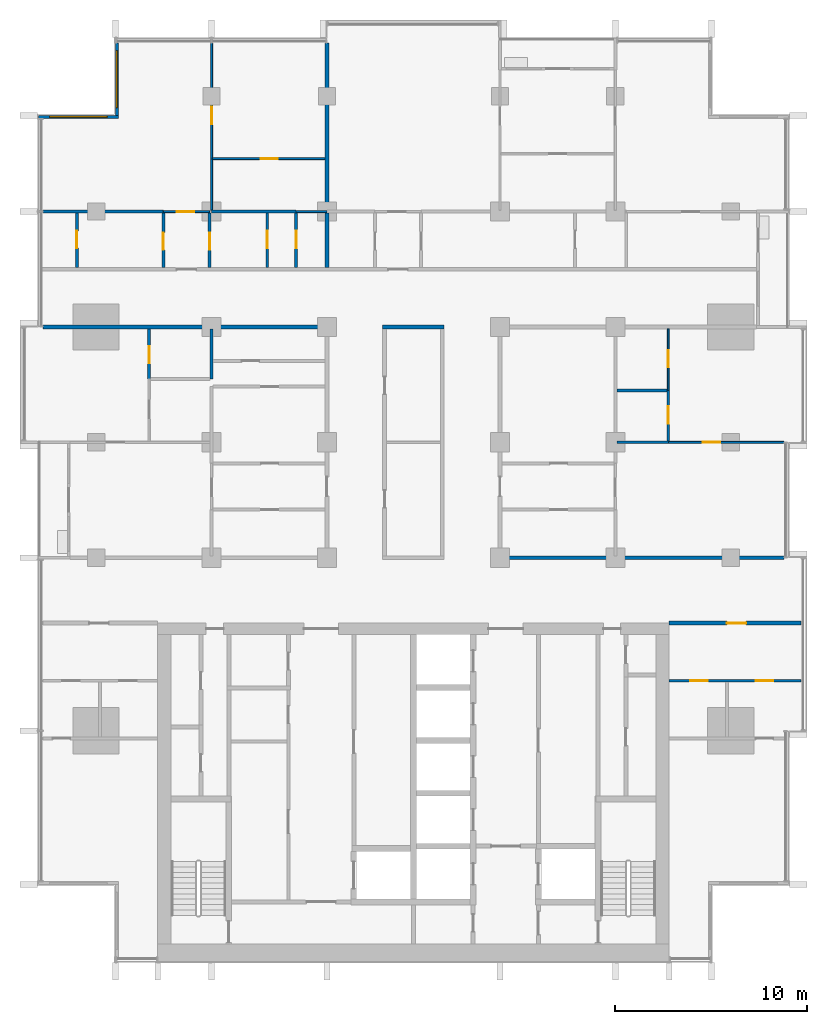
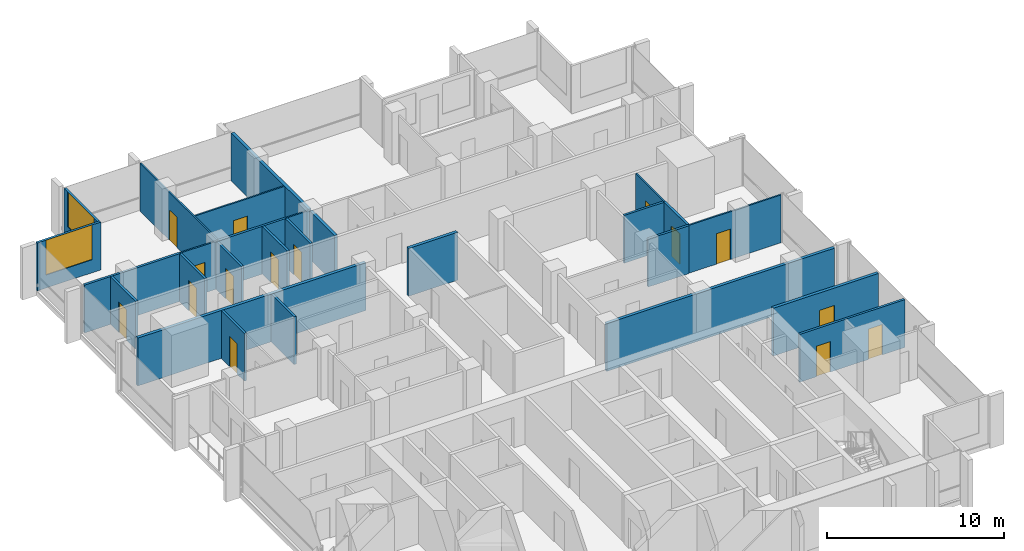
# One storey, part 10 of 17: 27 walls, 15 doors, 2 windows, 17 openings.
"""IFC4 building model written with IfcOpenShell, lengths in metres."""

import ifcopenshell
import ifcopenshell.guid

model = None  # the IFC model being written
_history = None  # IfcOwnerHistory: only IFC2X3 demands one
_inside = {}  # id of a spatial element -> (the spatial element, [elements in it])
_under = {}  # id of a project, library or spatial element -> (it, [spatial elements below it])
_declared = {}  # id of a project -> (the project, [libraries it declares])
_typed = {}  # id of a type object -> (the type object, [elements of that type])
_made_of = {}  # id of a material, layer set ... -> (it, [elements and type objects made of it])


def new_model(schema):
    """Start an empty IFC model of exactly this schema.

    Asked for "IFC4X3", IfcOpenShell would pick the latest addendum, in which some entities
    have other attributes; the version numbers below select the first issue.
    IFC2X3 requires an IfcOwnerHistory on every rooted entity: one is made here for all.
    """
    global model, _history
    if schema == "IFC4X3":
        model = ifcopenshell.file(schema_version=(4, 3, 0, 0))
    else:
        model = ifcopenshell.file(schema=schema)
    _inside.clear()
    _under.clear()
    _declared.clear()
    _typed.clear()
    _made_of.clear()
    _history = None
    if model.schema == "IFC2X3":
        org = make("IfcOrganization", Name="unknown")
        user = make(
            "IfcPersonAndOrganization",
            ThePerson=make("IfcPerson", FamilyName="unknown"),
            TheOrganization=org,
        )
        app = make(
            "IfcApplication",
            ApplicationDeveloper=org,
            Version="unknown",
            ApplicationFullName="unknown",
            ApplicationIdentifier="unknown",
        )
        _history = make(
            "IfcOwnerHistory",
            OwningUser=user,
            OwningApplication=app,
            ChangeAction="ADDED",
            CreationDate=0,
        )
    return model


def make(cls, **values):
    """One entity of the class cls with the attributes given. An attribute that is None is left unset."""
    return model.create_entity(
        cls, **{name: value for name, value in values.items() if value is not None}
    )


def rooted(cls, **values):
    """An entity with a GlobalId (a new one), such as an element, a storey or a relation."""
    return make(cls, GlobalId=ifcopenshell.guid.new(), OwnerHistory=_history, **values)


def si_unit(unit_type, name, prefix=None):
    """IfcSIUnit, for example si_unit("LENGTHUNIT", "METRE", prefix="MILLI")."""
    return make("IfcSIUnit", UnitType=unit_type, Prefix=prefix, Name=name)


def assignment(units):
    """IfcUnitAssignment: the units of a project."""
    return None if units is None else make("IfcUnitAssignment", Units=units)


def point(xyz):
    """IfcCartesianPoint."""
    return None if xyz is None else make("IfcCartesianPoint", Coordinates=xyz)


def direction(xyz):
    """IfcDirection."""
    return None if xyz is None else make("IfcDirection", DirectionRatios=xyz)


def frame(location, z_axis=None, x_axis=None):
    """IfcAxis2Placement3D, a coordinate frame: its origin and axes. An axis left out is left unset."""
    return make(
        "IfcAxis2Placement3D",
        Location=point(location),
        Axis=direction(z_axis),
        RefDirection=direction(x_axis),
    )


def frame_2d(location, x_axis=None):
    """IfcAxis2Placement2D, a coordinate frame in the plane: its origin and x axis."""
    return make(
        "IfcAxis2Placement2D", Location=point(location), RefDirection=direction(x_axis)
    )


def origin():
    """The frame at (0, 0, 0) with its axes left unset."""
    return frame((0.0, 0.0, 0.0))


def place(relative_to, where):
    """IfcLocalPlacement: puts the frame where relative to a parent placement (None: the world)."""
    return make(
        "IfcLocalPlacement", PlacementRelTo=relative_to, RelativePlacement=where
    )


def context(
    kind, dimensions, precision=None, world=None, true_north=None, identifier=None
):
    """IfcGeometricRepresentationContext, for example the 3D "Model" context."""
    return make(
        "IfcGeometricRepresentationContext",
        ContextIdentifier=identifier,
        ContextType=kind,
        CoordinateSpaceDimension=dimensions,
        Precision=precision,
        WorldCoordinateSystem=world,
        TrueNorth=true_north,
    )


def subcontext(parent, identifier, kind, view, scale=None):
    """IfcGeometricRepresentationSubContext, for example "Body" below "Model"."""
    return make(
        "IfcGeometricRepresentationSubContext",
        ContextIdentifier=identifier,
        ContextType=kind,
        ParentContext=parent,
        TargetScale=scale,
        TargetView=view,
    )


def project(units=None, contexts=None):
    """IfcProject with its units and contexts."""
    return rooted(
        "IfcProject",
        Name="project",
        RepresentationContexts=contexts,
        UnitsInContext=assignment(units),
    )


def spatial(cls, under=None, at=None, **own):
    """A site, building, storey or space (cls), placed at a placement, below another one or the project."""
    s = rooted(cls, ObjectPlacement=at, **own)
    if under is not None:
        _under.setdefault(under.id(), (under, []))[1].append(s)
    return s


def profile(cls, at=None, kind="AREA", **sizes):
    """A parametric profile (cls). Its sizes go by their IFC names, for example OverallWidth=200.0."""
    return make(cls, ProfileType=kind, Position=at, **sizes)


def rectangle(**sizes):
    """IfcRectangleProfileDef."""
    return profile("IfcRectangleProfileDef", **sizes)


def extrude(swept, where, along, depth):
    """IfcExtrudedAreaSolid: the profile swept, set in the frame where, extruded along a direction by depth."""
    return make(
        "IfcExtrudedAreaSolid",
        SweptArea=swept,
        Position=where,
        ExtrudedDirection=direction(along),
        Depth=depth,
    )


def shape(context_of_items, identifier, shape_type, items):
    """IfcShapeRepresentation: the items that make up one representation, for example the "Body"."""
    return make(
        "IfcShapeRepresentation",
        ContextOfItems=context_of_items,
        RepresentationIdentifier=identifier,
        RepresentationType=shape_type,
        Items=items,
    )


def material(Name=None, Category=None):
    """IfcMaterial."""
    return make("IfcMaterial", Name=Name, Category=Category)


def layer(
    of_material, thickness, ventilated=None, Name=None, Category=None, Priority=None
):
    """IfcMaterialLayer: one layer of a wall or slab, of a material (None: an air gap)."""
    return make(
        "IfcMaterialLayer",
        Material=of_material,
        LayerThickness=thickness,
        IsVentilated=ventilated,
        Name=Name,
        Category=Category,
        Priority=Priority,
    )


def layer_set(layers, Name=None):
    """IfcMaterialLayerSet."""
    return make("IfcMaterialLayerSet", MaterialLayers=layers, LayerSetName=Name)


def made_of(thing, what):
    """Note that an element or type object is made of a material, layer set ...; save() writes the relation."""
    if what is not None:
        _made_of.setdefault(what.id(), (what, []))[1].append(thing)
    return thing


def type_object(cls, material=None, **own):
    """A type object (cls), such as IfcWallType, which elements share."""
    return made_of(rooted(cls, **own), material)


def element(
    cls,
    number,
    at=None,
    inside=None,
    cuts=None,
    type_object=None,
    material=None,
    context=None,
    identifier="Body",
    shape_type=None,
    held_by="IfcProductDefinitionShape",
    body=None,
    shapes=None,
    **own,
):
    """One element of the class cls, such as IfcWall. Its Tag is "e" and its number.

    at: its placement. inside: the storey or other place that contains it. cuts: it is an
    opening in that element (IfcRelVoidsElement). A single representation is given by context,
    identifier, shape_type and body (its items); several are given by shapes. held_by: the class
    of the entity that holds the representations. save() writes the other relations.
    """
    e = rooted(cls, Tag="e%d" % number, ObjectPlacement=at, **own)
    if body is not None:
        shapes = [shape(context, identifier, shape_type, body)]
    if shapes is not None:
        e.Representation = make(held_by, Representations=shapes)
    if inside is not None:
        _inside.setdefault(inside.id(), (inside, []))[1].append(e)
    if cuts is not None:
        rooted(
            "IfcRelVoidsElement", RelatingBuildingElement=cuts, RelatedOpeningElement=e
        )
    if type_object is not None:
        _typed.setdefault(type_object.id(), (type_object, []))[1].append(e)
    return made_of(e, material)


def fill(opening, filler):
    """IfcRelFillsElement: the door or window that sits in an opening."""
    return rooted(
        "IfcRelFillsElement",
        RelatingOpeningElement=opening,
        RelatedBuildingElement=filler,
    )


def aggregate(whole, parts):
    """IfcRelAggregates: a whole, such as a stair, and the parts it consists of."""
    return rooted("IfcRelAggregates", RelatingObject=whole, RelatedObjects=parts)


def save(model, path):
    """Write the relations noted so far, then the file.

    IfcRelAggregates (storeys below a building ...), IfcRelContainedInSpatialStructure (elements
    in a storey), IfcRelDefinesByType, IfcRelAssociatesMaterial and IfcRelDeclares: one each for
    every whole, place, type object, material and project.
    """
    for whole, parts in _under.values():
        aggregate(whole, parts)
    for where, things in _inside.values():
        rooted(
            "IfcRelContainedInSpatialStructure",
            RelatedElements=things,
            RelatingStructure=where,
        )
    for kind, things in _typed.values():
        rooted("IfcRelDefinesByType", RelatedObjects=things, RelatingType=kind)
    for what, things in _made_of.values():
        rooted("IfcRelAssociatesMaterial", RelatedObjects=things, RelatingMaterial=what)
    for by, libraries in _declared.values():
        rooted("IfcRelDeclares", RelatingContext=by, RelatedDefinitions=libraries)
    model.write(path)


model = new_model("IFC4")

# Units and contexts
model_context = context("Model", 3, precision=1e-05, world=origin(), true_north=direction((0.0, 1.0)))
body_context = subcontext(model_context, "Body", "Model", "MODEL_VIEW")
ifc_project = project(units=[si_unit("LENGTHUNIT", "METRE"), si_unit("AREAUNIT", "SQUARE_METRE"), si_unit("VOLUMEUNIT", "CUBIC_METRE"), si_unit("PLANEANGLEUNIT", "RADIAN"), si_unit("MASSUNIT", "GRAM", prefix="KILO")], contexts=[model_context])

# Site, building, storey
site_placement = place(None, origin())
site = spatial("IfcSite", under=ifc_project, at=site_placement, CompositionType="ELEMENT")
building_placement = place(site_placement, origin())
building = spatial("IfcBuilding", under=site, at=building_placement, Name="Finial Court Residences", CompositionType="ELEMENT")
storey_placement = place(building_placement, frame((0.0, 0.0, 192.5)))
storey = spatial("IfcBuildingStorey", under=building, at=storey_placement, Name="L48", CompositionType="ELEMENT", Elevation=192.5)

# Walls
ifc_material_1 = material(Name="Gypsum board")
ifc_layer_1 = layer(ifc_material_1, 0.02490234375)
ifc_material_2 = material(Name="Acoustic mineral wool in double frame")
ifc_layer_2 = layer(ifc_material_2, 0.14990234375)
ifc_layer_3 = layer(ifc_material_1, 0.02490234375)
ifc_layer_set_1 = layer_set([ifc_layer_1, ifc_layer_2, ifc_layer_3], Name="Acoustic party wall 200, 1 hour")
wall_type_1 = type_object("IfcWallType", Name="Acoustic party wall 200, 1 hour", PredefinedType="PARTITIONING", material=ifc_layer_set_1)
wall_1_placement = place(storey_placement, frame((-4.5, 10.60009765625, 0.0), z_axis=(0.0, 0.0, 1.0), x_axis=(0.0, 1.0, 0.0)))
element("IfcWall", 1, at=wall_1_placement, inside=storey, type_object=wall_type_1, Name="Partition L48-049", PredefinedType="PARTITIONING", context=body_context, shape_type="SweptSolid", body=[
    extrude(rectangle(XDim=2.824951171875, YDim=0.199951171875, at=frame_2d((1.41259765625, 0.0))), origin(), (0.0, 0.0, 1.0), 3.300048828125),
])
wall_2_placement = place(storey_placement, frame((-4.5, 13.574951171875, 0.0), z_axis=(0.0, 0.0, 1.0), x_axis=(0.0, 1.0, 0.0)))
element("IfcWall", 2, at=wall_2_placement, inside=storey, type_object=wall_type_1, Name="Partition L48-050", PredefinedType="PARTITIONING", context=body_context, shape_type="SweptSolid", body=[
    extrude(rectangle(XDim=8.6875, YDim=0.199951171875, at=frame_2d((4.34375, 0.0))), origin(), (0.0, 0.0, 1.0), 3.300048828125),
])

# Wall, opening, door
ifc_layer_4 = layer(ifc_material_1, 0.02490234375)
ifc_layer_5 = layer(ifc_material_2, 0.14990234375)
ifc_layer_6 = layer(ifc_material_1, 0.02490234375)
ifc_layer_set_2 = layer_set([ifc_layer_4, ifc_layer_5, ifc_layer_6], Name="Corridor wall 200, 1 hour")
wall_type_2 = type_object("IfcWallType", Name="Corridor wall 200, 1 hour", PredefinedType="PARTITIONING", material=ifc_layer_set_2)
wall_3_placement = place(storey_placement, frame((13.300048828125, -7.89990234375, 0.0), z_axis=(0.0, 0.0, 1.0), x_axis=(1.0, 0.0, 0.0)))
wall_3 = element("IfcWall", 3, at=wall_3_placement, inside=storey, type_object=wall_type_2, Name="Partition L48-005", PredefinedType="PARTITIONING", context=body_context, shape_type="SweptSolid", body=[
    extrude(rectangle(XDim=6.862548828125, YDim=0.199951171875, at=frame_2d((3.43115234375, 0.0))), origin(), (0.0, 0.0, 1.0), 3.300048828125),
])
opening_1_placement = place(wall_3_placement, frame((3.0, 0.0, 0.0)))
opening_1 = element("IfcOpeningElement", 4, at=opening_1_placement, cuts=wall_3, Name="Opening L48-D008", PredefinedType="OPENING", context=body_context, shape_type="SweptSolid", body=[
    extrude(rectangle(XDim=1.0, YDim=2.10009765625, at=frame_2d((0.5, 1.050048828125))), frame((0.0, 0.10986328125, 0.0), z_axis=(0.0, -1.0, 0.0), x_axis=(1.0, 0.0, 0.0)), (0.0, 0.0, 1.0), 0.219970703125),
])
ifc_material_3 = material(Name="Timber door leaf in hollow metal frame", Category="wood")
door_type_1 = type_object("IfcDoorType", Name="Fire door set 1000 x 2100, 30 minutes", OperationType="SINGLE_SWING_LEFT", PredefinedType="DOOR", material=ifc_material_3)
door_1_placement = place(opening_1_placement, origin())
door_1 = element("IfcDoor", 5, at=door_1_placement, inside=storey, type_object=door_type_1, Name="Door L48-D008", OperationType="SINGLE_SWING_RIGHT", OverallHeight=2.10009765625, OverallWidth=1.0, PredefinedType="DOOR", context=body_context, shape_type="SweptSolid", body=[
    extrude(rectangle(XDim=1.0, YDim=2.10009765625, at=frame_2d((0.5, 1.050048828125))), frame((0.0, 0.02490234375, 0.0), z_axis=(0.0, -1.0, 0.0), x_axis=(1.0, 0.0, 0.0)), (0.0, 0.0, 1.0), 0.050048828125),
])
fill(opening_1, door_1)

# Walls
for number, where, z_axis, x_axis, name in (
    (6, (4.39990234375, -4.5, 0.0), (0.0, 0.0, 1.0), (1.0, 0.0, 0.0), "Partition L48-008"),
    (7, (-19.262451171875, 7.5, 0.0), (0.0, 0.0, 1.0), (1.0, 0.0, 0.0), "Partition L48-021"),
):
    element("IfcWall", number, at=place(storey_placement, frame(where, z_axis=z_axis, x_axis=x_axis)), inside=storey, type_object=wall_type_2, Name=name, PredefinedType="PARTITIONING", context=body_context, shape_type="SweptSolid", body=[
        extrude(rectangle(XDim=14.862548828125, YDim=0.199951171875, at=frame_2d((7.43115234375, 0.0))), origin(), (0.0, 0.0, 1.0), 3.300048828125),
    ])
wall_4_placement = place(storey_placement, frame((-1.60009765625, 7.5, 0.0), z_axis=(0.0, 0.0, 1.0), x_axis=(1.0, 0.0, 0.0)))
element("IfcWall", 8, at=wall_4_placement, inside=storey, type_object=wall_type_2, Name="Partition L48-022", PredefinedType="PARTITIONING", context=body_context, shape_type="SweptSolid", body=[
    extrude(rectangle(XDim=3.2001953125, YDim=0.199951171875, at=frame_2d((1.60009765625, 0.0))), origin(), (0.0, 0.0, 1.0), 3.300048828125),
])

# Wall, opening, door
ifc_layer_7 = layer(ifc_material_1, 0.012451171875)
ifc_material_4 = material(Name="Mineral wool in light-gauge frame")
ifc_layer_8 = layer(ifc_material_4, 0.074951171875)
ifc_layer_9 = layer(ifc_material_1, 0.012451171875)
ifc_layer_set_3 = layer_set([ifc_layer_7, ifc_layer_8, ifc_layer_9], Name="Gypsum board partition 100")
wall_type_3 = type_object("IfcWallType", Name="Gypsum board partition 100", PredefinedType="PARTITIONING", material=ifc_layer_set_3)
wall_5_placement = place(storey_placement, frame((13.25, 1.5, 0.0), z_axis=(0.0, 0.0, 1.0), x_axis=(1.0, 0.0, 0.0)))
wall_5 = element("IfcWall", 9, at=wall_5_placement, inside=storey, type_object=wall_type_3, Name="Partition L48-015", PredefinedType="PARTITIONING", context=body_context, shape_type="SweptSolid", body=[
    extrude(rectangle(XDim=6.012451171875, YDim=0.10009765625, at=frame_2d((3.00634765625, 0.0))), origin(), (0.0, 0.0, 1.0), 3.300048828125),
])
opening_2_placement = place(wall_5_placement, frame((1.800048828125, 0.0, 0.0)))
opening_2 = element("IfcOpeningElement", 10, at=opening_2_placement, cuts=wall_5, Name="Opening L48-D014", PredefinedType="OPENING", context=body_context, shape_type="SweptSolid", body=[
    extrude(rectangle(XDim=0.89990234375, YDim=2.10009765625, at=frame_2d((0.449951171875, 1.050048828125))), frame((0.0, 0.06005859375, 0.0), z_axis=(0.0, -1.0, 0.0), x_axis=(1.0, 0.0, 0.0)), (0.0, 0.0, 1.0), 0.1201171875),
])
ifc_material_5 = material(Name="Timber door leaf in timber frame", Category="wood")
door_type_2 = type_object("IfcDoorType", Name="Door set 900 x 2100", OperationType="SINGLE_SWING_LEFT", PredefinedType="DOOR", material=ifc_material_5)
door_2_placement = place(opening_2_placement, origin())
door_2 = element("IfcDoor", 11, at=door_2_placement, inside=storey, type_object=door_type_2, Name="Door L48-D014", OperationType="SINGLE_SWING_RIGHT", OverallHeight=2.10009765625, OverallWidth=0.89990234375, PredefinedType="DOOR", context=body_context, shape_type="SweptSolid", body=[
    extrude(rectangle(XDim=0.89990234375, YDim=2.10009765625, at=frame_2d((0.449951171875, 1.050048828125))), frame((0.0, 0.02490234375, 0.0), z_axis=(0.0, -1.0, 0.0), x_axis=(1.0, 0.0, 0.0)), (0.0, 0.0, 1.0), 0.050048828125),
])
fill(opening_2, door_2)

wall_6_placement = place(storey_placement, frame((-13.0, 13.5, 0.0), z_axis=(0.0, 0.0, 1.0), x_axis=(1.0, 0.0, 0.0)))
wall_6 = element("IfcWall", 12, at=wall_6_placement, inside=storey, type_object=wall_type_3, Name="Partition L48-025", PredefinedType="PARTITIONING", context=body_context, shape_type="SweptSolid", body=[
    extrude(rectangle(XDim=2.39990234375, YDim=0.10009765625, at=frame_2d((1.199951171875, 0.0))), origin(), (0.0, 0.0, 1.0), 3.300048828125),
])
opening_3_placement = place(wall_6_placement, frame((0.699951171875, 0.0, 0.0)))
opening_3 = element("IfcOpeningElement", 13, at=opening_3_placement, cuts=wall_6, Name="Opening L48-D019", PredefinedType="OPENING", context=body_context, shape_type="SweptSolid", body=[
    extrude(rectangle(XDim=0.89990234375, YDim=2.10009765625, at=frame_2d((0.449951171875, 1.050048828125))), frame((0.0, 0.06005859375, 0.0), z_axis=(0.0, -1.0, 0.0), x_axis=(1.0, 0.0, 0.0)), (0.0, 0.0, 1.0), 0.1201171875),
])
door_3_placement = place(opening_3_placement, origin())
door_3 = element("IfcDoor", 14, at=door_3_placement, inside=storey, type_object=door_type_2, Name="Door L48-D019", OperationType="SINGLE_SWING_RIGHT", OverallHeight=2.10009765625, OverallWidth=0.89990234375, PredefinedType="DOOR", context=body_context, shape_type="SweptSolid", body=[
    extrude(rectangle(XDim=0.89990234375, YDim=2.10009765625, at=frame_2d((0.449951171875, 1.050048828125))), frame((0.0, 0.02490234375, 0.0), z_axis=(0.0, -1.0, 0.0), x_axis=(1.0, 0.0, 0.0)), (0.0, 0.0, 1.0), 0.050048828125),
])
fill(opening_3, door_3)

# Wall
wall_7_placement = place(storey_placement, frame((-6.10009765625, 13.5, 0.0), z_axis=(0.0, 0.0, 1.0), x_axis=(1.0, 0.0, 0.0)))
element("IfcWall", 15, at=wall_7_placement, inside=storey, type_object=wall_type_3, Name="Partition L48-026", PredefinedType="PARTITIONING", context=body_context, shape_type="SweptSolid", body=[
    extrude(rectangle(XDim=1.60009765625, YDim=0.10009765625, at=frame_2d((0.800048828125, 0.0))), origin(), (0.0, 0.0, 1.0), 3.300048828125),
])

# Wall, opening, door
wall_8_placement = place(storey_placement, frame((-10.449951171875, 16.25, 0.0), z_axis=(0.0, 0.0, 1.0), x_axis=(1.0, 0.0, 0.0)))
wall_8 = element("IfcWall", 16, at=wall_8_placement, inside=storey, type_object=wall_type_3, Name="Partition L48-033", PredefinedType="PARTITIONING", context=body_context, shape_type="SweptSolid", body=[
    extrude(rectangle(XDim=5.849853515625, YDim=0.10009765625, at=frame_2d((2.9248046875, 0.0))), origin(), (0.0, 0.0, 1.0), 3.300048828125),
])
opening_4_placement = place(wall_8_placement, frame((2.5, 0.0, 0.0)))
opening_4 = element("IfcOpeningElement", 17, at=opening_4_placement, cuts=wall_8, Name="Opening L48-D022", PredefinedType="OPENING", context=body_context, shape_type="SweptSolid", body=[
    extrude(rectangle(XDim=0.89990234375, YDim=2.10009765625, at=frame_2d((0.449951171875, 1.050048828125))), frame((0.0, 0.06005859375, 0.0), z_axis=(0.0, -1.0, 0.0), x_axis=(1.0, 0.0, 0.0)), (0.0, 0.0, 1.0), 0.1201171875),
])
door_4_placement = place(opening_4_placement, origin())
door_4 = element("IfcDoor", 18, at=door_4_placement, inside=storey, type_object=door_type_2, Name="Door L48-D022", OperationType="SINGLE_SWING_LEFT", OverallHeight=2.10009765625, OverallWidth=0.89990234375, PredefinedType="DOOR", context=body_context, shape_type="SweptSolid", body=[
    extrude(rectangle(XDim=0.89990234375, YDim=2.10009765625, at=frame_2d((0.449951171875, 1.050048828125))), frame((0.0, 0.02490234375, 0.0), z_axis=(0.0, -1.0, 0.0), x_axis=(1.0, 0.0, 0.0)), (0.0, 0.0, 1.0), 0.050048828125),
])
fill(opening_4, door_4)

wall_9_placement = place(storey_placement, frame((-10.5, 13.574951171875, 0.0), z_axis=(0.0, 0.0, 1.0), x_axis=(0.0, 1.0, 0.0)))
wall_9 = element("IfcWall", 19, at=wall_9_placement, inside=storey, type_object=wall_type_3, Name="Partition L48-042", PredefinedType="PARTITIONING", context=body_context, shape_type="SweptSolid", body=[
    extrude(rectangle(XDim=8.6875, YDim=0.10009765625, at=frame_2d((4.34375, 0.0))), origin(), (0.0, 0.0, 1.0), 3.300048828125),
])
opening_5_placement = place(wall_9_placement, frame((4.47509765625, 0.0, 0.0)))
opening_5 = element("IfcOpeningElement", 20, at=opening_5_placement, cuts=wall_9, Name="Opening L48-D030", PredefinedType="OPENING", context=body_context, shape_type="SweptSolid", body=[
    extrude(rectangle(XDim=0.89990234375, YDim=2.10009765625, at=frame_2d((0.449951171875, 1.050048828125))), frame((0.0, 0.06005859375, 0.0), z_axis=(0.0, -1.0, 0.0), x_axis=(1.0, 0.0, 0.0)), (0.0, 0.0, 1.0), 0.1201171875),
])
door_5_placement = place(opening_5_placement, origin())
door_5 = element("IfcDoor", 21, at=door_5_placement, inside=storey, type_object=door_type_2, Name="Door L48-D030", OperationType="SINGLE_SWING_RIGHT", OverallHeight=2.10009765625, OverallWidth=0.89990234375, PredefinedType="DOOR", context=body_context, shape_type="SweptSolid", body=[
    extrude(rectangle(XDim=0.89990234375, YDim=2.10009765625, at=frame_2d((0.449951171875, 1.050048828125))), frame((0.0, 0.02490234375, 0.0), z_axis=(0.0, -1.0, 0.0), x_axis=(1.0, 0.0, 0.0)), (0.0, 0.0, 1.0), 0.050048828125),
])
fill(opening_5, door_5)

wall_10_placement = place(storey_placement, frame((13.25, 4.199951171875, 0.0), z_axis=(0.0, 0.0, 1.0), x_axis=(0.0, 1.0, 0.0)))
wall_10 = element("IfcWall", 22, at=wall_10_placement, inside=storey, type_object=wall_type_3, Name="Partition L48-063", PredefinedType="PARTITIONING", context=body_context, shape_type="SweptSolid", body=[
    extrude(rectangle(XDim=3.199951171875, YDim=0.10009765625, at=frame_2d((1.60009765625, 0.0))), origin(), (0.0, 0.0, 1.0), 3.300048828125),
])
opening_6_placement = place(wall_10_placement, frame((1.199951171875, 0.0, 0.0)))
opening_6 = element("IfcOpeningElement", 23, at=opening_6_placement, cuts=wall_10, Name="Opening L48-D043", PredefinedType="OPENING", context=body_context, shape_type="SweptSolid", body=[
    extrude(rectangle(XDim=0.89990234375, YDim=2.10009765625, at=frame_2d((0.449951171875, 1.050048828125))), frame((0.0, 0.06005859375, 0.0), z_axis=(0.0, -1.0, 0.0), x_axis=(1.0, 0.0, 0.0)), (0.0, 0.0, 1.0), 0.1201171875),
])
door_6_placement = place(opening_6_placement, origin())
door_6 = element("IfcDoor", 24, at=door_6_placement, inside=storey, type_object=door_type_2, Name="Door L48-D043", OperationType="SINGLE_SWING_RIGHT", OverallHeight=2.10009765625, OverallWidth=0.89990234375, PredefinedType="DOOR", context=body_context, shape_type="SweptSolid", body=[
    extrude(rectangle(XDim=0.89990234375, YDim=2.10009765625, at=frame_2d((0.449951171875, 1.050048828125))), frame((0.0, 0.02490234375, 0.0), z_axis=(0.0, -1.0, 0.0), x_axis=(1.0, 0.0, 0.0)), (0.0, 0.0, 1.0), 0.050048828125),
])
fill(opening_6, door_6)

# Wall, openings, doors
ifc_material_6 = material(Name="Moisture-resistant gypsum board")
ifc_layer_10 = layer(ifc_material_6, 0.012451171875)
ifc_layer_11 = layer(ifc_material_4, 0.125)
ifc_layer_12 = layer(ifc_material_6, 0.012451171875)
ifc_layer_set_4 = layer_set([ifc_layer_10, ifc_layer_11, ifc_layer_12], Name="Gypsum board wet-area partition 150")
wall_type_4 = type_object("IfcWallType", Name="Gypsum board wet-area partition 150", PredefinedType="PARTITIONING", material=ifc_layer_set_4)
wall_11_placement = place(storey_placement, frame((13.300048828125, -10.89990234375, 0.0), z_axis=(0.0, 0.0, 1.0), x_axis=(1.0, 0.0, 0.0)))
wall_11 = element("IfcWall", 25, at=wall_11_placement, inside=storey, type_object=wall_type_4, Name="Partition L48-003", PredefinedType="PARTITIONING", context=body_context, shape_type="SweptSolid", body=[
    extrude(rectangle(XDim=6.862548828125, YDim=0.14990234375, at=frame_2d((3.43115234375, 0.0))), origin(), (0.0, 0.0, 1.0), 3.300048828125),
])
opening_7_placement = place(wall_11_placement, frame((1.10009765625, 0.0, 0.0)))
opening_7 = element("IfcOpeningElement", 26, at=opening_7_placement, cuts=wall_11, Name="Opening L48-D005", PredefinedType="OPENING", context=body_context, shape_type="SweptSolid", body=[
    extrude(rectangle(XDim=0.89990234375, YDim=2.10009765625, at=frame_2d((0.449951171875, 1.050048828125))), frame((0.0, 0.0849609375, 0.0), z_axis=(0.0, -1.0, 0.0), x_axis=(1.0, 0.0, 0.0)), (0.0, 0.0, 1.0), 0.169921875),
])
opening_8_placement = place(wall_11_placement, frame((4.5, 0.0, 0.0)))
opening_8 = element("IfcOpeningElement", 27, at=opening_8_placement, cuts=wall_11, Name="Opening L48-D006", PredefinedType="OPENING", context=body_context, shape_type="SweptSolid", body=[
    extrude(rectangle(XDim=0.89990234375, YDim=2.10009765625, at=frame_2d((0.449951171875, 1.050048828125))), frame((0.0, 0.0849609375, 0.0), z_axis=(0.0, -1.0, 0.0), x_axis=(1.0, 0.0, 0.0)), (0.0, 0.0, 1.0), 0.169921875),
])
door_7_placement = place(opening_7_placement, origin())
door_7 = element("IfcDoor", 28, at=door_7_placement, inside=storey, type_object=door_type_2, Name="Door L48-D005", OperationType="SINGLE_SWING_LEFT", OverallHeight=2.10009765625, OverallWidth=0.89990234375, PredefinedType="DOOR", context=body_context, shape_type="SweptSolid", body=[
    extrude(rectangle(XDim=0.89990234375, YDim=2.10009765625, at=frame_2d((0.449951171875, 1.050048828125))), frame((0.0, 0.02490234375, 0.0), z_axis=(0.0, -1.0, 0.0), x_axis=(1.0, 0.0, 0.0)), (0.0, 0.0, 1.0), 0.050048828125),
])
fill(opening_7, door_7)
door_8_placement = place(opening_8_placement, origin())
door_8 = element("IfcDoor", 29, at=door_8_placement, inside=storey, type_object=door_type_2, Name="Door L48-D006", OperationType="SINGLE_SWING_RIGHT", OverallHeight=2.10009765625, OverallWidth=0.89990234375, PredefinedType="DOOR", context=body_context, shape_type="SweptSolid", body=[
    extrude(rectangle(XDim=0.89990234375, YDim=2.10009765625, at=frame_2d((0.449951171875, 1.050048828125))), frame((0.0, 0.02490234375, 0.0), z_axis=(0.0, -1.0, 0.0), x_axis=(1.0, 0.0, 0.0)), (0.0, 0.0, 1.0), 0.050048828125),
])
fill(opening_8, door_8)

# Walls
wall_12_placement = place(storey_placement, frame((10.574951171875, 1.5, 0.0), z_axis=(0.0, 0.0, 1.0), x_axis=(1.0, 0.0, 0.0)))
element("IfcWall", 30, at=wall_12_placement, inside=storey, type_object=wall_type_4, Name="Partition L48-016", PredefinedType="PARTITIONING", context=body_context, shape_type="SweptSolid", body=[
    extrude(rectangle(XDim=2.675048828125, YDim=0.14990234375, at=frame_2d((1.33740234375, 0.0))), origin(), (0.0, 0.0, 1.0), 3.300048828125),
])
wall_13_placement = place(storey_placement, frame((10.574951171875, 4.199951171875, 0.0), z_axis=(0.0, 0.0, 1.0), x_axis=(1.0, 0.0, 0.0)))
element("IfcWall", 31, at=wall_13_placement, inside=storey, type_object=wall_type_4, Name="Partition L48-017", PredefinedType="PARTITIONING", context=body_context, shape_type="SweptSolid", body=[
    extrude(rectangle(XDim=2.60009765625, YDim=0.14990234375, at=frame_2d((1.300048828125, 0.0))), origin(), (0.0, 0.0, 1.0), 3.300048828125),
])
wall_14_placement = place(storey_placement, frame((-19.262451171875, 13.5, 0.0), z_axis=(0.0, 0.0, 1.0), x_axis=(1.0, 0.0, 0.0)))
element("IfcWall", 32, at=wall_14_placement, inside=storey, type_object=wall_type_4, Name="Partition L48-029", PredefinedType="PARTITIONING", context=body_context, shape_type="SweptSolid", body=[
    extrude(rectangle(XDim=6.262451171875, YDim=0.14990234375, at=frame_2d((3.13134765625, 0.0))), origin(), (0.0, 0.0, 1.0), 3.300048828125),
])
wall_15_placement = place(storey_placement, frame((-10.5, 13.5, 0.0), z_axis=(0.0, 0.0, 1.0), x_axis=(1.0, 0.0, 0.0)))
element("IfcWall", 33, at=wall_15_placement, inside=storey, type_object=wall_type_4, Name="Partition L48-030", PredefinedType="PARTITIONING", context=body_context, shape_type="SweptSolid", body=[
    extrude(rectangle(XDim=4.39990234375, YDim=0.14990234375, at=frame_2d((2.199951171875, 0.0))), origin(), (0.0, 0.0, 1.0), 3.300048828125),
])

# Wall, opening, door
wall_16_placement = place(storey_placement, frame((-17.5, 10.60009765625, 0.0), z_axis=(0.0, 0.0, 1.0), x_axis=(0.0, 1.0, 0.0)))
wall_16 = element("IfcWall", 34, at=wall_16_placement, inside=storey, type_object=wall_type_4, Name="Partition L48-035", PredefinedType="PARTITIONING", context=body_context, shape_type="SweptSolid", body=[
    extrude(rectangle(XDim=2.824951171875, YDim=0.14990234375, at=frame_2d((1.41259765625, 0.0))), origin(), (0.0, 0.0, 1.0), 3.300048828125),
])
opening_9_placement = place(wall_16_placement, frame((1.0, 0.0, 0.0)))
opening_9 = element("IfcOpeningElement", 35, at=opening_9_placement, cuts=wall_16, Name="Opening L48-D024", PredefinedType="OPENING", context=body_context, shape_type="SweptSolid", body=[
    extrude(rectangle(XDim=0.89990234375, YDim=2.10009765625, at=frame_2d((0.449951171875, 1.050048828125))), frame((0.0, 0.0849609375, 0.0), z_axis=(0.0, -1.0, 0.0), x_axis=(1.0, 0.0, 0.0)), (0.0, 0.0, 1.0), 0.169921875),
])
door_9_placement = place(opening_9_placement, origin())
door_9 = element("IfcDoor", 36, at=door_9_placement, inside=storey, type_object=door_type_2, Name="Door L48-D024", OperationType="SINGLE_SWING_LEFT", OverallHeight=2.10009765625, OverallWidth=0.89990234375, PredefinedType="DOOR", context=body_context, shape_type="SweptSolid", body=[
    extrude(rectangle(XDim=0.89990234375, YDim=2.10009765625, at=frame_2d((0.449951171875, 1.050048828125))), frame((0.0, 0.02490234375, 0.0), z_axis=(0.0, -1.0, 0.0), x_axis=(1.0, 0.0, 0.0)), (0.0, 0.0, 1.0), 0.050048828125),
])
fill(opening_9, door_9)

wall_17_placement = place(storey_placement, frame((-13.75, 4.800048828125, 0.0), z_axis=(0.0, 0.0, 1.0), x_axis=(0.0, 1.0, 0.0)))
wall_17 = element("IfcWall", 37, at=wall_17_placement, inside=storey, type_object=wall_type_4, Name="Partition L48-038", PredefinedType="PARTITIONING", context=body_context, shape_type="SweptSolid", body=[
    extrude(rectangle(XDim=2.599853515625, YDim=0.14990234375, at=frame_2d((1.2998046875, 0.0))), origin(), (0.0, 0.0, 1.0), 3.300048828125),
])
opening_10_placement = place(wall_17_placement, frame((0.800048828125, 0.0, 0.0)))
opening_10 = element("IfcOpeningElement", 38, at=opening_10_placement, cuts=wall_17, Name="Opening L48-D026", PredefinedType="OPENING", context=body_context, shape_type="SweptSolid", body=[
    extrude(rectangle(XDim=0.89990234375, YDim=2.10009765625, at=frame_2d((0.449951171875, 1.050048828125))), frame((0.0, 0.0849609375, 0.0), z_axis=(0.0, -1.0, 0.0), x_axis=(1.0, 0.0, 0.0)), (0.0, 0.0, 1.0), 0.169921875),
])
door_10_placement = place(opening_10_placement, origin())
door_10 = element("IfcDoor", 39, at=door_10_placement, inside=storey, type_object=door_type_2, Name="Door L48-D026", OperationType="SINGLE_SWING_LEFT", OverallHeight=2.10009765625, OverallWidth=0.89990234375, PredefinedType="DOOR", context=body_context, shape_type="SweptSolid", body=[
    extrude(rectangle(XDim=0.89990234375, YDim=2.10009765625, at=frame_2d((0.449951171875, 1.050048828125))), frame((0.0, 0.02490234375, 0.0), z_axis=(0.0, -1.0, 0.0), x_axis=(1.0, 0.0, 0.0)), (0.0, 0.0, 1.0), 0.050048828125),
])
fill(opening_10, door_10)

wall_18_placement = place(storey_placement, frame((-13.0, 10.60009765625, 0.0), z_axis=(0.0, 0.0, 1.0), x_axis=(0.0, 1.0, 0.0)))
wall_18 = element("IfcWall", 40, at=wall_18_placement, inside=storey, type_object=wall_type_4, Name="Partition L48-039", PredefinedType="PARTITIONING", context=body_context, shape_type="SweptSolid", body=[
    extrude(rectangle(XDim=2.824951171875, YDim=0.14990234375, at=frame_2d((1.41259765625, 0.0))), origin(), (0.0, 0.0, 1.0), 3.300048828125),
])
opening_11_placement = place(wall_18_placement, frame((0.89990234375, 0.0, 0.0)))
opening_11 = element("IfcOpeningElement", 41, at=opening_11_placement, cuts=wall_18, Name="Opening L48-D027", PredefinedType="OPENING", context=body_context, shape_type="SweptSolid", body=[
    extrude(rectangle(XDim=0.89990234375, YDim=2.10009765625, at=frame_2d((0.449951171875, 1.050048828125))), frame((0.0, 0.0849609375, 0.0), z_axis=(0.0, -1.0, 0.0), x_axis=(1.0, 0.0, 0.0)), (0.0, 0.0, 1.0), 0.169921875),
])
door_11_placement = place(opening_11_placement, origin())
door_11 = element("IfcDoor", 42, at=door_11_placement, inside=storey, type_object=door_type_2, Name="Door L48-D027", OperationType="SINGLE_SWING_LEFT", OverallHeight=2.10009765625, OverallWidth=0.89990234375, PredefinedType="DOOR", context=body_context, shape_type="SweptSolid", body=[
    extrude(rectangle(XDim=0.89990234375, YDim=2.10009765625, at=frame_2d((0.449951171875, 1.050048828125))), frame((0.0, 0.02490234375, 0.0), z_axis=(0.0, -1.0, 0.0), x_axis=(1.0, 0.0, 0.0)), (0.0, 0.0, 1.0), 0.050048828125),
])
fill(opening_11, door_11)

wall_19_placement = place(storey_placement, frame((-10.60009765625, 10.60009765625, 0.0), z_axis=(0.0, 0.0, 1.0), x_axis=(0.0, 1.0, 0.0)))
wall_19 = element("IfcWall", 43, at=wall_19_placement, inside=storey, type_object=wall_type_4, Name="Partition L48-040", PredefinedType="PARTITIONING", context=body_context, shape_type="SweptSolid", body=[
    extrude(rectangle(XDim=2.824951171875, YDim=0.14990234375, at=frame_2d((1.41259765625, 0.0))), origin(), (0.0, 0.0, 1.0), 3.300048828125),
])
opening_12_placement = place(wall_19_placement, frame((0.89990234375, 0.0, 0.0)))
opening_12 = element("IfcOpeningElement", 44, at=opening_12_placement, cuts=wall_19, Name="Opening L48-D028", PredefinedType="OPENING", context=body_context, shape_type="SweptSolid", body=[
    extrude(rectangle(XDim=0.89990234375, YDim=2.10009765625, at=frame_2d((0.449951171875, 1.050048828125))), frame((0.0, 0.0849609375, 0.0), z_axis=(0.0, -1.0, 0.0), x_axis=(1.0, 0.0, 0.0)), (0.0, 0.0, 1.0), 0.169921875),
])
door_12_placement = place(opening_12_placement, origin())
door_12 = element("IfcDoor", 45, at=door_12_placement, inside=storey, type_object=door_type_2, Name="Door L48-D028", OperationType="SINGLE_SWING_RIGHT", OverallHeight=2.10009765625, OverallWidth=0.89990234375, PredefinedType="DOOR", context=body_context, shape_type="SweptSolid", body=[
    extrude(rectangle(XDim=0.89990234375, YDim=2.10009765625, at=frame_2d((0.449951171875, 1.050048828125))), frame((0.0, 0.02490234375, 0.0), z_axis=(0.0, -1.0, 0.0), x_axis=(1.0, 0.0, 0.0)), (0.0, 0.0, 1.0), 0.050048828125),
])
fill(opening_12, door_12)

# Wall
wall_20_placement = place(storey_placement, frame((-10.5, 4.800048828125, 0.0), z_axis=(0.0, 0.0, 1.0), x_axis=(0.0, 1.0, 0.0)))
element("IfcWall", 46, at=wall_20_placement, inside=storey, type_object=wall_type_4, Name="Partition L48-045", PredefinedType="PARTITIONING", context=body_context, shape_type="SweptSolid", body=[
    extrude(rectangle(XDim=2.599853515625, YDim=0.14990234375, at=frame_2d((1.2998046875, 0.0))), origin(), (0.0, 0.0, 1.0), 3.300048828125),
])

# Wall, opening, door
wall_21_placement = place(storey_placement, frame((-7.60009765625, 10.60009765625, 0.0), z_axis=(0.0, 0.0, 1.0), x_axis=(0.0, 1.0, 0.0)))
wall_21 = element("IfcWall", 47, at=wall_21_placement, inside=storey, type_object=wall_type_4, Name="Partition L48-046", PredefinedType="PARTITIONING", context=body_context, shape_type="SweptSolid", body=[
    extrude(rectangle(XDim=2.824951171875, YDim=0.14990234375, at=frame_2d((1.41259765625, 0.0))), origin(), (0.0, 0.0, 1.0), 3.300048828125),
])
opening_13_placement = place(wall_21_placement, frame((1.0, 0.0, 0.0)))
opening_13 = element("IfcOpeningElement", 48, at=opening_13_placement, cuts=wall_21, Name="Opening L48-D031", PredefinedType="OPENING", context=body_context, shape_type="SweptSolid", body=[
    extrude(rectangle(XDim=0.89990234375, YDim=2.10009765625, at=frame_2d((0.449951171875, 1.050048828125))), frame((0.0, 0.0849609375, 0.0), z_axis=(0.0, -1.0, 0.0), x_axis=(1.0, 0.0, 0.0)), (0.0, 0.0, 1.0), 0.169921875),
])
door_13_placement = place(opening_13_placement, origin())
door_13 = element("IfcDoor", 49, at=door_13_placement, inside=storey, type_object=door_type_2, Name="Door L48-D031", OperationType="SINGLE_SWING_RIGHT", OverallHeight=2.10009765625, OverallWidth=0.89990234375, PredefinedType="DOOR", context=body_context, shape_type="SweptSolid", body=[
    extrude(rectangle(XDim=0.89990234375, YDim=2.10009765625, at=frame_2d((0.449951171875, 1.050048828125))), frame((0.0, 0.02490234375, 0.0), z_axis=(0.0, -1.0, 0.0), x_axis=(1.0, 0.0, 0.0)), (0.0, 0.0, 1.0), 0.050048828125),
])
fill(opening_13, door_13)

wall_22_placement = place(storey_placement, frame((-6.10009765625, 10.60009765625, 0.0), z_axis=(0.0, 0.0, 1.0), x_axis=(0.0, 1.0, 0.0)))
wall_22 = element("IfcWall", 50, at=wall_22_placement, inside=storey, type_object=wall_type_4, Name="Partition L48-047", PredefinedType="PARTITIONING", context=body_context, shape_type="SweptSolid", body=[
    extrude(rectangle(XDim=2.824951171875, YDim=0.14990234375, at=frame_2d((1.41259765625, 0.0))), origin(), (0.0, 0.0, 1.0), 3.300048828125),
])
opening_14_placement = place(wall_22_placement, frame((1.0, 0.0, 0.0)))
opening_14 = element("IfcOpeningElement", 51, at=opening_14_placement, cuts=wall_22, Name="Opening L48-D032", PredefinedType="OPENING", context=body_context, shape_type="SweptSolid", body=[
    extrude(rectangle(XDim=0.89990234375, YDim=2.10009765625, at=frame_2d((0.449951171875, 1.050048828125))), frame((0.0, 0.0849609375, 0.0), z_axis=(0.0, -1.0, 0.0), x_axis=(1.0, 0.0, 0.0)), (0.0, 0.0, 1.0), 0.169921875),
])
door_14_placement = place(opening_14_placement, origin())
door_14 = element("IfcDoor", 52, at=door_14_placement, inside=storey, type_object=door_type_2, Name="Door L48-D032", OperationType="SINGLE_SWING_LEFT", OverallHeight=2.10009765625, OverallWidth=0.89990234375, PredefinedType="DOOR", context=body_context, shape_type="SweptSolid", body=[
    extrude(rectangle(XDim=0.89990234375, YDim=2.10009765625, at=frame_2d((0.449951171875, 1.050048828125))), frame((0.0, 0.02490234375, 0.0), z_axis=(0.0, -1.0, 0.0), x_axis=(1.0, 0.0, 0.0)), (0.0, 0.0, 1.0), 0.050048828125),
])
fill(opening_14, door_14)

wall_23_placement = place(storey_placement, frame((13.25, 1.574951171875, 0.0), z_axis=(0.0, 0.0, 1.0), x_axis=(0.0, 1.0, 0.0)))
wall_23 = element("IfcWall", 53, at=wall_23_placement, inside=storey, type_object=wall_type_4, Name="Partition L48-064", PredefinedType="PARTITIONING", context=body_context, shape_type="SweptSolid", body=[
    extrude(rectangle(XDim=2.625, YDim=0.14990234375, at=frame_2d((1.3125, 0.0))), origin(), (0.0, 0.0, 1.0), 3.300048828125),
])
opening_15_placement = place(wall_23_placement, frame((0.89990234375, 0.0, 0.0)))
opening_15 = element("IfcOpeningElement", 54, at=opening_15_placement, cuts=wall_23, Name="Opening L48-D044", PredefinedType="OPENING", context=body_context, shape_type="SweptSolid", body=[
    extrude(rectangle(XDim=0.89990234375, YDim=2.10009765625, at=frame_2d((0.449951171875, 1.050048828125))), frame((0.0, 0.0849609375, 0.0), z_axis=(0.0, -1.0, 0.0), x_axis=(1.0, 0.0, 0.0)), (0.0, 0.0, 1.0), 0.169921875),
])
door_15_placement = place(opening_15_placement, origin())
door_15 = element("IfcDoor", 55, at=door_15_placement, inside=storey, type_object=door_type_2, Name="Door L48-D044", OperationType="SINGLE_SWING_LEFT", OverallHeight=2.10009765625, OverallWidth=0.89990234375, PredefinedType="DOOR", context=body_context, shape_type="SweptSolid", body=[
    extrude(rectangle(XDim=0.89990234375, YDim=2.10009765625, at=frame_2d((0.449951171875, 1.050048828125))), frame((0.0, 0.02490234375, 0.0), z_axis=(0.0, -1.0, 0.0), x_axis=(1.0, 0.0, 0.0)), (0.0, 0.0, 1.0), 0.050048828125),
])
fill(opening_15, door_15)

# Wall, opening, window
ifc_material_7 = material(Name="Natural limestone", Category="masonry")
ifc_layer_13 = layer(ifc_material_7, 0.14990234375)
ifc_layer_set_5 = layer_set([ifc_layer_13], Name="Limestone clad wall 150")
wall_type_5 = type_object("IfcWallType", Name="Limestone clad wall 150", PredefinedType="SOLIDWALL", material=ifc_layer_set_5)
wall_24_placement = place(storey_placement, frame((-15.425048828125, 18.5, 0.0), z_axis=(0.0, 0.0, 1.0), x_axis=(0.0, 1.0, 0.0)))
wall_24 = element("IfcWall", 56, at=wall_24_placement, inside=storey, type_object=wall_type_5, Name="E-L48-NWW18", PredefinedType="SOLIDWALL", context=body_context, shape_type="SweptSolid", body=[
    extrude(rectangle(XDim=3.762451171875, YDim=0.14990234375, at=frame_2d((1.88134765625, 0.0))), origin(), (0.0, 0.0, 1.0), 3.300048828125),
])
opening_16_placement = place(wall_24_placement, frame((0.4013671875, 0.0, 0.89990234375)))
opening_16 = element("IfcOpeningElement", 57, at=opening_16_placement, cuts=wall_24, Name="Opening WE48-05", PredefinedType="OPENING", context=body_context, shape_type="SweptSolid", body=[
    extrude(rectangle(XDim=2.9599609375, YDim=2.39990234375, at=frame_2d((1.47998046875, 1.199951171875))), frame((0.0, 0.0849609375, 0.0), z_axis=(0.0, -1.0, 0.0), x_axis=(1.0, 0.0, 0.0)), (0.0, 0.0, 1.0), 0.169921875),
])
ifc_material_8 = material(Name="Clear low-e glass", Category="glass")
window_type_1 = type_object("IfcWindowType", Name="Corner window 2960 x 2400", PartitioningType="SINGLE_PANEL", PredefinedType="WINDOW", material=ifc_material_8)
window_1_placement = place(opening_16_placement, origin())
window_1 = element("IfcWindow", 58, at=window_1_placement, inside=storey, type_object=window_type_1, Name="E-L48-NWW18-W1", OverallHeight=2.39990234375, OverallWidth=2.9599609375, PartitioningType="SINGLE_PANEL", PredefinedType="WINDOW", context=body_context, shape_type="SweptSolid", body=[
    extrude(rectangle(XDim=2.9599609375, YDim=2.39990234375, at=frame_2d((1.47998046875, 1.199951171875))), frame((0.0, 0.030029296875, 0.0), z_axis=(0.0, -1.0, 0.0), x_axis=(1.0, 0.0, 0.0)), (0.0, 0.0, 1.0), 0.06005859375),
])
fill(opening_16, window_1)

wall_25_placement = place(storey_placement, frame((-19.5, 18.425048828125, 0.0), z_axis=(0.0, 0.0, 1.0), x_axis=(1.0, 0.0, 0.0)))
wall_25 = element("IfcWall", 59, at=wall_25_placement, inside=storey, type_object=wall_type_5, Name="E-L48-NWN19", PredefinedType="SOLIDWALL", context=body_context, shape_type="SweptSolid", body=[
    extrude(rectangle(XDim=4.14990234375, YDim=0.14990234375, at=frame_2d((2.074951171875, 0.0))), origin(), (0.0, 0.0, 1.0), 3.300048828125),
])
opening_17_placement = place(wall_25_placement, frame((0.574951171875, 0.0, 0.89990234375)))
opening_17 = element("IfcOpeningElement", 60, at=opening_17_placement, cuts=wall_25, Name="Opening WE48-06", PredefinedType="OPENING", context=body_context, shape_type="SweptSolid", body=[
    extrude(rectangle(XDim=3.0, YDim=2.39990234375, at=frame_2d((1.5, 1.199951171875))), frame((0.0, 0.0849609375, 0.0), z_axis=(0.0, -1.0, 0.0), x_axis=(1.0, 0.0, 0.0)), (0.0, 0.0, 1.0), 0.169921875),
])
window_type_2 = type_object("IfcWindowType", Name="Corner window 3000 x 2400", PartitioningType="SINGLE_PANEL", PredefinedType="WINDOW", material=ifc_material_8)
window_2_placement = place(opening_17_placement, origin())
window_2 = element("IfcWindow", 61, at=window_2_placement, inside=storey, type_object=window_type_2, Name="E-L48-NWN19-W1", OverallHeight=2.39990234375, OverallWidth=3.0, PartitioningType="SINGLE_PANEL", PredefinedType="WINDOW", context=body_context, shape_type="SweptSolid", body=[
    extrude(rectangle(XDim=3.0, YDim=2.39990234375, at=frame_2d((1.5, 1.199951171875))), frame((0.0, 0.030029296875, 0.0), z_axis=(0.0, -1.0, 0.0), x_axis=(1.0, 0.0, 0.0)), (0.0, 0.0, 1.0), 0.06005859375),
])
fill(opening_17, window_2)

save(model, "model.ifc")
